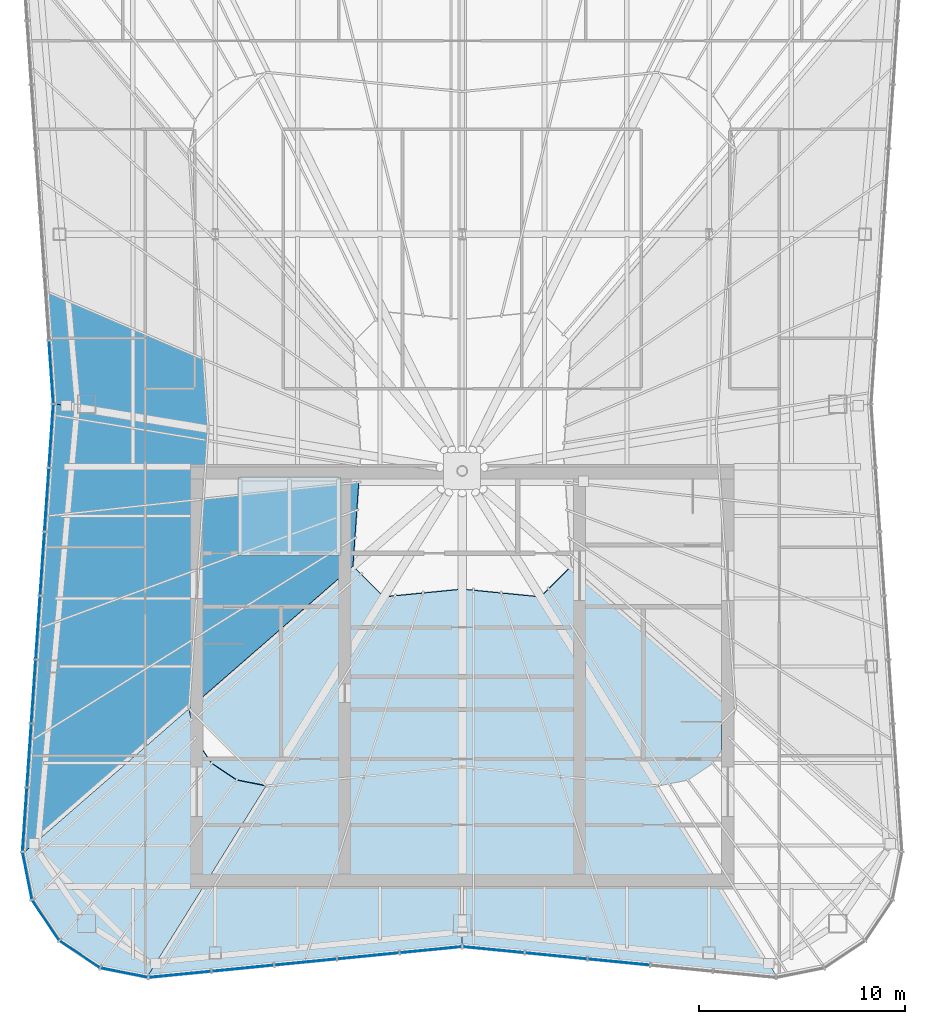
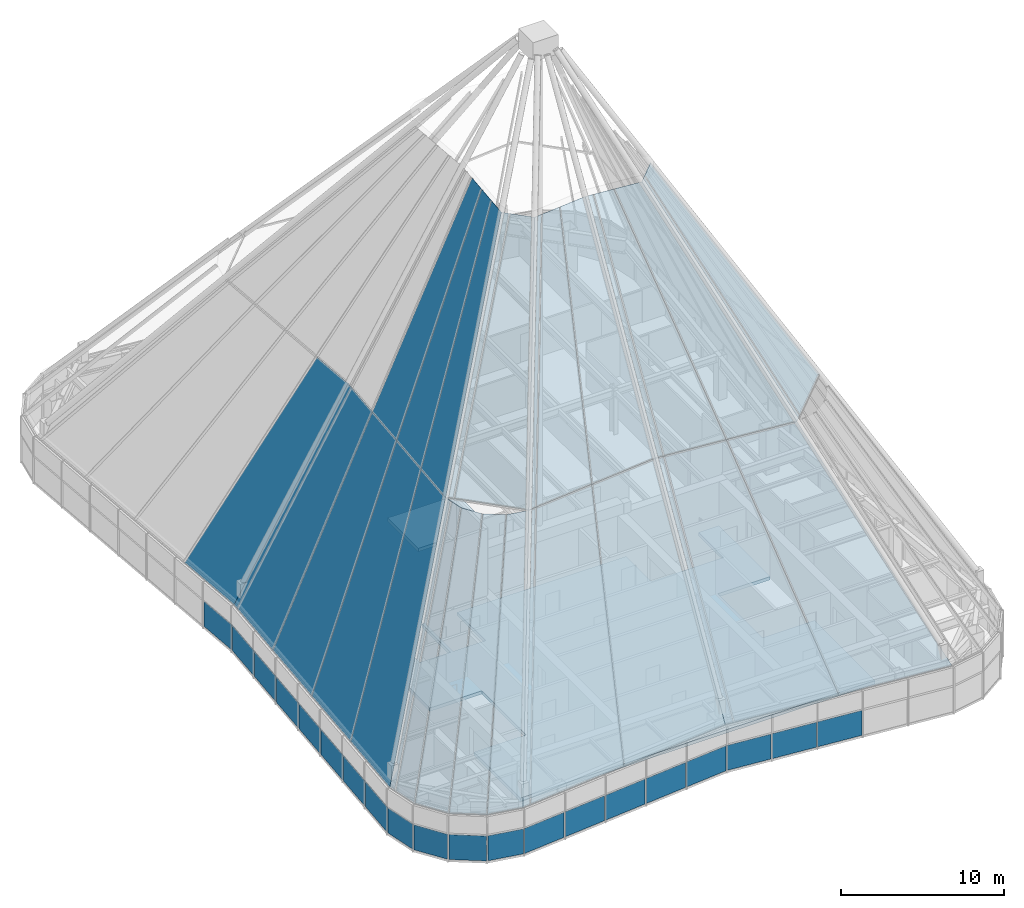
# One storey, part 19 of 28: 42 plates, 2 slabs, 25 elements without a shape of their own.
"""IFC4 building model written with IfcOpenShell, lengths in metres."""

from ifc_helpers import new_model, si_unit, direction, frame, origin, origin_2d, place, context, subcontext, project, spatial, polyline, rectangle, outline, extrude, material, layer, layer_set, type_object, element, aggregate, save


model = new_model("IFC4")

# Units and contexts
model_context = context("Model", 3, precision=1e-05, world=origin(), true_north=direction((0.0, 1.0)))
body_context = subcontext(model_context, "Body", "Model", "MODEL_VIEW")
ifc_project = project(units=[si_unit("LENGTHUNIT", "METRE"), si_unit("AREAUNIT", "SQUARE_METRE"), si_unit("VOLUMEUNIT", "CUBIC_METRE"), si_unit("PLANEANGLEUNIT", "RADIAN"), si_unit("MASSUNIT", "GRAM", prefix="KILO")], contexts=[model_context])

# Site, building, storey
site_placement = place(None, origin())
site = spatial("IfcSite", under=ifc_project, at=site_placement, CompositionType="ELEMENT")
building_placement = place(site_placement, origin())
building = spatial("IfcBuilding", under=site, at=building_placement, Name="Verdant Reach Tower", CompositionType="ELEMENT")
storey_placement = place(building_placement, frame((0.0, 0.0, 368.0)))
storey = spatial("IfcBuildingStorey", under=building, at=storey_placement, Name="L83 Crown plant", CompositionType="ELEMENT", Elevation=368.0)

# Slab
ifc_material_1 = material(Name="Concrete C40/50", Category="concrete")
ifc_layer_1 = layer(ifc_material_1, 0.25)
ifc_layer_set_1 = layer_set([ifc_layer_1], Name="CO-SLAB-CAP")
slab_type_1 = type_object("IfcSlabType", Name="CO-SLAB-CAP", PredefinedType="ROOF", material=ifc_layer_set_1)
slab_1_placement = place(storey_placement, frame((0.0, 0.0, 8.5)))
element("IfcSlab", 1, at=slab_1_placement, inside=storey, type_object=slab_type_1, Name="Lift overrun cap slab", PredefinedType="ROOF", context=body_context, shape_type="SweptSolid", body=[
    extrude(outline(polyline([(-10.89990234375, 33.89990234375), (-5.89990234375, 33.89990234375), (-5.89990234375, 37.699951171875), (-10.89990234375, 37.699951171875), (-10.89990234375, 33.89990234375)])), origin(), (0.0, 0.0, 1.0), 0.25),
])

# Curtain wall, plate
ifc_material_2 = material(Name="Anodised aluminium", Category="aluminium")
curtain_wall_type_1 = type_object("IfcCurtainWallType", Name="EN-CW SYSTEM CROWN APEX", PredefinedType="NOTDEFINED", material=ifc_material_2)
curtain_wall_1_placement = place(storey_placement, origin())
curtain_wall_1 = element("IfcCurtainWall", 2, at=curtain_wall_1_placement, inside=storey, type_object=curtain_wall_type_1, Name="Crown glazing unit west face part 1 4, level 01", PredefinedType="NOTDEFINED")
ifc_material_3 = material(Name="Tinted glass", Category="glass")
ifc_layer_2 = layer(ifc_material_3, 0.030029296875)
ifc_layer_set_2 = layer_set([ifc_layer_2], Name="EN-PANEL CROWN TINTED")
plate_type_1 = type_object("IfcPlateType", Name="EN-PANEL CROWN TINTED", PredefinedType="CURTAIN_PANEL", material=ifc_layer_set_2)
plate_1_placement = place(storey_placement, frame((-20.125, 46.6875, 3.14990234375), z_axis=(-0.894449461564, -0.061686169763, 0.442893866709), x_axis=(0.068802091615, -0.997630328423, 0.0)))
plate_1 = element("IfcPlate", 3, at=plate_1_placement, type_object=plate_type_1, Name="Crown glass facet west face part 1 4, level 01", PredefinedType="CURTAIN_PANEL", context=body_context, shape_type="SweptSolid", body=[
    extrude(outline(polyline([(0.0, 0.0), (5.450415695155737, -2.7755575615628914e-17), (7.175843148947643, 16.493448249830344), (3.7693333394753066, 16.493448249830344), (0.0, 0.0)])), origin(), (0.0, 0.0, -1.0), 0.030029296875),
])
aggregate(curtain_wall_1, [plate_1])

curtain_wall_2_placement = place(storey_placement, origin())
curtain_wall_2 = element("IfcCurtainWall", 4, at=curtain_wall_2_placement, inside=storey, type_object=curtain_wall_type_1, Name="Crown glazing unit west face part 2 1, level 01", PredefinedType="NOTDEFINED")
plate_2_placement = place(storey_placement, frame((-19.75, 41.25, 3.14990234375), z_axis=(-0.890402844201, 0.061407092704, 0.451012132879), x_axis=(-0.068802091615, -0.997630328423, 0.0)))
plate_2 = element("IfcPlate", 5, at=plate_2_placement, type_object=plate_type_1, Name="Crown glass facet west face part 2 1, level 01", PredefinedType="CURTAIN_PANEL", context=body_context, shape_type="SweptSolid", body=[
    extrude(outline(polyline([(0.0, 0.0), (5.450415695155737, -2.7755575615628914e-17), (4.112806281211452, 16.56840608996953), (0.7062964717391164, 16.56840608996953), (0.0, 0.0)])), origin(), (0.0, 0.0, -1.0), 0.030029296875),
])
aggregate(curtain_wall_2, [plate_2])

curtain_wall_3_placement = place(storey_placement, origin())
curtain_wall_3 = element("IfcCurtainWall", 6, at=curtain_wall_3_placement, inside=storey, type_object=curtain_wall_type_1, Name="Crown glazing unit west face part 2 2, level 01", PredefinedType="NOTDEFINED")
plate_3_placement = place(storey_placement, frame((-20.125, 35.8125, 3.14990234375), z_axis=(-0.890402844201, 0.061407092704, 0.451012132879), x_axis=(-0.068802091615, -0.997630328423, 0.0)))
plate_3 = element("IfcPlate", 7, at=plate_3_placement, type_object=plate_type_1, Name="Crown glass facet west face part 2 2, level 01", PredefinedType="CURTAIN_PANEL", context=body_context, shape_type="SweptSolid", body=[
    extrude(outline(polyline([(0.0, 0.0), (5.450415695155737, -2.7755575615628914e-17), (2.0689003955280505, 16.56840608996953), (-1.3376094139442853, 16.56840608996953), (0.0, 0.0)])), origin(), (0.0, 0.0, -1.0), 0.030029296875),
])
aggregate(curtain_wall_3, [plate_3])

curtain_wall_4_placement = place(storey_placement, origin())
curtain_wall_4 = element("IfcCurtainWall", 8, at=curtain_wall_4_placement, inside=storey, type_object=curtain_wall_type_1, Name="Crown glazing unit west face part 2 3, level 01", PredefinedType="NOTDEFINED")
plate_4_placement = place(storey_placement, frame((-20.5, 30.375, 3.14990234375), z_axis=(-0.890402844201, 0.061407092704, 0.451012132879), x_axis=(-0.068802091615, -0.997630328423, 0.0)))
plate_4 = element("IfcPlate", 9, at=plate_4_placement, type_object=plate_type_1, Name="Crown glass facet west face part 2 3, level 01", PredefinedType="CURTAIN_PANEL", context=body_context, shape_type="SweptSolid", body=[
    extrude(outline(polyline([(0.0, 0.0), (5.450415695155737, -2.7755575615628914e-17), (0.02499450984464917, 16.56840608996953), (-3.3815152996276874, 16.56840608996953), (0.0, 0.0)])), origin(), (0.0, 0.0, -1.0), 0.030029296875),
])
aggregate(curtain_wall_4, [plate_4])

curtain_wall_5_placement = place(storey_placement, origin())
curtain_wall_5 = element("IfcCurtainWall", 10, at=curtain_wall_5_placement, inside=storey, type_object=curtain_wall_type_1, Name="Crown glazing unit west face part 2 4, level 01", PredefinedType="NOTDEFINED")
plate_5_placement = place(storey_placement, frame((-20.875, 24.9375, 3.14990234375), z_axis=(-0.890402844201, 0.061407092704, 0.451012132879), x_axis=(-0.068802091615, -0.997630328423, 0.0)))
plate_5 = element("IfcPlate", 11, at=plate_5_placement, type_object=plate_type_1, Name="Crown glass facet west face part 2 4, level 01", PredefinedType="CURTAIN_PANEL", context=body_context, shape_type="SweptSolid", body=[
    extrude(outline(polyline([(0.0, 0.0), (5.450415695155737, -2.7755575615628914e-17), (-2.0189113758387527, 16.56840608996953), (-5.425421185311088, 16.56840608996953), (0.0, 0.0)])), origin(), (0.0, 0.0, -1.0), 0.030029296875),
])
aggregate(curtain_wall_5, [plate_5])

curtain_wall_6_placement = place(storey_placement, origin())
curtain_wall_6 = element("IfcCurtainWall", 12, at=curtain_wall_6_placement, inside=storey, type_object=curtain_wall_type_1, Name="Crown glazing unit south-west corner 1, level 01", PredefinedType="NOTDEFINED")
plate_6_placement = place(storey_placement, frame((-21.25, 19.5, 3.14990234375), z_axis=(-0.833553715483, -0.165805358573, 0.526969435996), x_axis=(0.195097700236, -0.980783812706, 9.869957e-06)))
plate_6 = element("IfcPlate", 13, at=plate_6_placement, type_object=plate_type_1, Name="Crown glass facet south-west corner 1, level 01", PredefinedType="CURTAIN_PANEL", context=body_context, shape_type="SweptSolid", body=[
    extrude(outline(polyline([(0.0, 0.0), (2.3411375868254694, 0.0), (-3.7861937500511846, 17.399587392535295), (-5.249356948942548, 17.399631573004537), (0.0, 0.0)])), origin(), (0.0, 0.0, -1.0), 0.030029296875),
])
aggregate(curtain_wall_6, [plate_6])

curtain_wall_7_placement = place(storey_placement, origin())
curtain_wall_7 = element("IfcCurtainWall", 14, at=curtain_wall_7_placement, inside=storey, type_object=curtain_wall_type_1, Name="Crown glazing unit south-west corner 2, level 01", PredefinedType="NOTDEFINED")
plate_7_placement = place(storey_placement, frame((-20.793212890625, 17.203857421875, 3.14990234375), z_axis=(-0.671109388447, -0.448424974975, 0.590361948771), x_axis=(0.555562718098, -0.831474633369, -1.8015516e-05)))
plate_7 = element("IfcPlate", 15, at=plate_7_placement, type_object=plate_type_1, Name="Crown glass facet south-west corner 2, level 01", PredefinedType="CURTAIN_PANEL", context=body_context, shape_type="SweptSolid", body=[
    extrude(outline(polyline([(0.0, 0.0), (2.3410229128793367, 1.1102230246251565e-16), (-0.6894681087721071, 18.320997996177486), (-2.1526668268728737, 18.32091308509606), (0.0, 0.0)])), origin(), (0.0, 0.0, -1.0), 0.030029296875),
])
aggregate(curtain_wall_7, [plate_7])

curtain_wall_8_placement = place(storey_placement, origin())
curtain_wall_8 = element("IfcCurtainWall", 16, at=curtain_wall_8_placement, inside=storey, type_object=curtain_wall_type_1, Name="Crown glazing unit south-west corner 3, level 01", PredefinedType="NOTDEFINED")
plate_8_placement = place(storey_placement, frame((-19.49267578125, 15.25732421875, 3.14990234375), z_axis=(-0.443570783188, -0.663844642137, 0.602125610988), x_axis=(0.831474928018, -0.555562277109, 1.8175593e-05)))
plate_8 = element("IfcPlate", 17, at=plate_8_placement, type_object=plate_type_1, Name="Crown glass facet south-west corner 3, level 01", PredefinedType="CURTAIN_PANEL", context=body_context, shape_type="SweptSolid", body=[
    extrude(outline(polyline([(0.0, 0.0), (2.3410229129028077, -3.3306690738754696e-16), (2.8032462495781587, 18.521444543756257), (1.340047531539005, 18.521531146791716), (0.0, 0.0)])), origin(), (0.0, 0.0, -1.0), 0.030029296875),
])
aggregate(curtain_wall_8, [plate_8])

curtain_wall_9_placement = place(storey_placement, origin())
curtain_wall_9 = element("IfcCurtainWall", 18, at=curtain_wall_9_placement, inside=storey, type_object=curtain_wall_type_1, Name="Crown glazing unit south-west corner 4, level 01", PredefinedType="NOTDEFINED")
plate_9_placement = place(storey_placement, frame((-17.546142578125, 13.956787109375, 3.14990234375), z_axis=(-0.160966136345, -0.809225480843, 0.56501683524), x_axis=(0.980783634067, -0.195098598254, -1.0273707e-05)))
plate_9 = element("IfcPlate", 19, at=plate_9_placement, type_object=plate_type_1, Name="Crown glass facet south-west corner 4, level 01", PredefinedType="CURTAIN_PANEL", context=body_context, shape_type="SweptSolid", body=[
    extrude(outline(polyline([(0.0, 0.0), (2.341137586849089, -5.551115123125783e-17), (6.157373699270942, 17.92271308111765), (4.69421050044158, 17.922665710801258), (0.0, 0.0)])), origin(), (0.0, 0.0, -1.0), 0.030029296875),
])
aggregate(curtain_wall_9, [plate_9])

curtain_wall_10_placement = place(storey_placement, origin())
curtain_wall_10 = element("IfcCurtainWall", 20, at=curtain_wall_10_placement, inside=storey, type_object=curtain_wall_type_1, Name="Crown glazing unit south face part 1 1, level 01", PredefinedType="NOTDEFINED")
plate_10_placement = place(storey_placement, frame((-15.25, 13.5, 3.14990234375), z_axis=(0.084659577757, -0.860705707196, 0.502014383752), x_axis=(0.995197410875, 0.097888269922, 0.0)))
plate_10 = element("IfcPlate", 21, at=plate_10_placement, type_object=plate_type_1, Name="Crown glass facet south face part 1 1, level 01", PredefinedType="CURTAIN_PANEL", context=body_context, shape_type="SweptSolid", body=[
    extrude(outline(polyline([(0.0, 0.0), (7.661796460360978, -5.551115123125783e-17), (11.379256461074451, 17.098270381513768), (6.590633673348839, 17.098270381513768), (0.0, 0.0)])), origin(), (0.0, 0.0, -1.0), 0.030029296875),
])
aggregate(curtain_wall_10, [plate_10])

curtain_wall_11_placement = place(storey_placement, origin())
curtain_wall_11 = element("IfcCurtainWall", 22, at=curtain_wall_11_placement, inside=storey, type_object=curtain_wall_type_1, Name="Crown glazing unit south face part 1 2, level 01", PredefinedType="NOTDEFINED")
plate_11_placement = place(storey_placement, frame((-7.625, 14.25, 3.14990234375), z_axis=(0.084659577757, -0.860705707196, 0.502014383752), x_axis=(0.995197410875, 0.097888269922, 0.0)))
plate_11 = element("IfcPlate", 23, at=plate_11_placement, type_object=plate_type_1, Name="Crown glass facet south face part 1 2, level 01", PredefinedType="CURTAIN_PANEL", context=body_context, shape_type="SweptSolid", body=[
    extrude(outline(polyline([(0.0, 0.0), (7.661796460360978, -5.551115123125783e-17), (8.506082788439084, 17.098270381513768), (3.717460000713473, 17.098270381513768), (0.0, 0.0)])), origin(), (0.0, 0.0, -1.0), 0.030029296875),
])
aggregate(curtain_wall_11, [plate_11])

curtain_wall_12_placement = place(storey_placement, origin())
curtain_wall_12 = element("IfcCurtainWall", 24, at=curtain_wall_12_placement, inside=storey, type_object=curtain_wall_type_1, Name="Crown glazing unit south face part 2 1, level 01", PredefinedType="NOTDEFINED")
plate_12_placement = place(storey_placement, frame((0.0, 15.0, 3.14990234375), z_axis=(-0.084659577757, -0.860705707196, 0.502014383752), x_axis=(0.995197410875, -0.097888269922, 0.0)))
plate_12 = element("IfcPlate", 25, at=plate_12_placement, type_object=plate_type_1, Name="Crown glass facet south face part 2 1, level 01", PredefinedType="CURTAIN_PANEL", context=body_context, shape_type="SweptSolid", body=[
    extrude(outline(polyline([(0.0, 0.0), (7.661796460360978, 5.551115123125783e-17), (3.9443364596475057, 17.098270381513768), (-0.8442863280781062, 17.098270381513768), (0.0, 0.0)])), origin(), (0.0, 0.0, -1.0), 0.030029296875),
])
aggregate(curtain_wall_12, [plate_12])

curtain_wall_13_placement = place(storey_placement, origin())
curtain_wall_13 = element("IfcCurtainWall", 26, at=curtain_wall_13_placement, inside=storey, type_object=curtain_wall_type_1, Name="Crown glazing unit south face part 2 2, level 01", PredefinedType="NOTDEFINED")
plate_13_placement = place(storey_placement, frame((7.625, 14.25, 3.14990234375), z_axis=(-0.084659577757, -0.860705707196, 0.502014383752), x_axis=(0.995197410875, -0.097888269922, 0.0)))
plate_13 = element("IfcPlate", 27, at=plate_13_placement, type_object=plate_type_1, Name="Crown glass facet south face part 2 2, level 01", PredefinedType="CURTAIN_PANEL", context=body_context, shape_type="SweptSolid", body=[
    extrude(outline(polyline([(0.0, 0.0), (7.661796460360978, 5.551115123125783e-17), (1.0711627870121383, 17.098270381513768), (-3.717460000713473, 17.098270381513768), (0.0, 0.0)])), origin(), (0.0, 0.0, -1.0), 0.030029296875),
])
aggregate(curtain_wall_13, [plate_13])

curtain_wall_14_placement = place(storey_placement, origin())
curtain_wall_14 = element("IfcCurtainWall", 28, at=curtain_wall_14_placement, inside=storey, type_object=curtain_wall_type_1, Name="Crown glazing unit south-east corner 1, level 02", PredefinedType="NOTDEFINED")
plate_14_placement = place(storey_placement, frame((9.53125, 22.6875, 17.9375), z_axis=(0.57110332577, -0.57110332577, 0.589645641542), x_axis=(0.707106781187, 0.707106781187, 0.0)))
plate_14 = element("IfcPlate", 29, at=plate_14_placement, type_object=plate_type_1, Name="Crown glass facet south-east corner 1, level 02", PredefinedType="CURTAIN_PANEL", context=body_context, shape_type="SweptSolid", body=[
    extrude(outline(polyline([(0.0, 0.0), (5.303300858899107, 0.0), (4.57409699080048, 17.875669240094204), (2.452776647240836, 17.875669240094204), (0.0, 0.0)])), origin(), (0.0, 0.0, -1.0), 0.030029296875),
])
aggregate(curtain_wall_14, [plate_14])

curtain_wall_15_placement = place(storey_placement, origin())
curtain_wall_15 = element("IfcCurtainWall", 30, at=curtain_wall_15_placement, inside=storey, type_object=curtain_wall_type_1, Name="Crown glazing unit west face part 2 2, level 02", PredefinedType="NOTDEFINED")
plate_15_placement = place(storey_placement, frame((-12.578125, 36.6328125, 17.9375), z_axis=(-0.885990628679, 0.061102801978, 0.459659714879), x_axis=(-0.068802091615, -0.997630328423, 0.0)))
plate_15 = element("IfcPlate", 31, at=plate_15_placement, type_object=plate_type_1, Name="Crown glass facet west face part 2 2, level 02", PredefinedType="CURTAIN_PANEL", context=body_context, shape_type="SweptSolid", body=[
    extrude(outline(polyline([(0.0, 0.0), (3.406509809472336, 1.3877787807814457e-17), (0.02499450984464897, 16.256704529793513), (-1.3376094139442856, 16.256704529793513), (0.0, 0.0)])), origin(), (0.0, 0.0, -1.0), 0.030029296875),
])
aggregate(curtain_wall_15, [plate_15])

curtain_wall_16_placement = place(storey_placement, origin())
curtain_wall_16 = element("IfcCurtainWall", 32, at=curtain_wall_16_placement, inside=storey, type_object=curtain_wall_type_1, Name="Crown glazing unit west face part 2 3, level 02", PredefinedType="NOTDEFINED")
plate_16_placement = place(storey_placement, frame((-12.8125, 33.234375, 17.9375), z_axis=(-0.885990628679, 0.061102801978, 0.459659714879), x_axis=(-0.068802091615, -0.997630328423, 0.0)))
plate_16 = element("IfcPlate", 33, at=plate_16_placement, type_object=plate_type_1, Name="Crown glass facet west face part 2 3, level 02", PredefinedType="CURTAIN_PANEL", context=body_context, shape_type="SweptSolid", body=[
    extrude(outline(polyline([(0.0, 0.0), (3.406509809472336, 1.3877787807814457e-17), (-2.0189113758387527, 16.256704529793513), (-3.3815152996276874, 16.256704529793513), (0.0, 0.0)])), origin(), (0.0, 0.0, -1.0), 0.030029296875),
])
aggregate(curtain_wall_16, [plate_16])

curtain_wall_17_placement = place(storey_placement, origin())
curtain_wall_17 = element("IfcCurtainWall", 34, at=curtain_wall_17_placement, inside=storey, type_object=curtain_wall_type_1, Name="Crown glazing unit west face part 2 4, level 02", PredefinedType="NOTDEFINED")
plate_17_placement = place(storey_placement, frame((-13.046875, 29.8359375, 17.9375), z_axis=(-0.885990628679, 0.061102801978, 0.459659714879), x_axis=(-0.068802091615, -0.997630328423, 0.0)))
plate_17 = element("IfcPlate", 35, at=plate_17_placement, type_object=plate_type_1, Name="Crown glass facet west face part 2 4, level 02", PredefinedType="CURTAIN_PANEL", context=body_context, shape_type="SweptSolid", body=[
    extrude(outline(polyline([(0.0, 0.0), (3.406509809472336, 1.3877787807814457e-17), (-4.062817261522154, 16.256704529793513), (-5.425421185311088, 16.256704529793513), (0.0, 0.0)])), origin(), (0.0, 0.0, -1.0), 0.030029296875),
])
aggregate(curtain_wall_17, [plate_17])

curtain_wall_18_placement = place(storey_placement, origin())
curtain_wall_18 = element("IfcCurtainWall", 36, at=curtain_wall_18_placement, inside=storey, type_object=curtain_wall_type_1, Name="Crown glazing unit south-west corner 1, level 02", PredefinedType="NOTDEFINED")
plate_18_placement = place(storey_placement, frame((-13.28125, 26.4375, 17.9375), z_axis=(-0.57110332577, -0.57110332577, 0.589645641542), x_axis=(0.707106781187, -0.707106781187, 0.0)))
plate_18 = element("IfcPlate", 37, at=plate_18_placement, type_object=plate_type_1, Name="Crown glass facet south-west corner 1, level 02", PredefinedType="CURTAIN_PANEL", context=body_context, shape_type="SweptSolid", body=[
    extrude(outline(polyline([(0.0, 0.0), (5.303300858899107, 0.0), (2.85052421165827, 17.875669240094204), (0.7292038680986268, 17.875669240094204), (0.0, 0.0)])), origin(), (0.0, 0.0, -1.0), 0.030029296875),
])
aggregate(curtain_wall_18, [plate_18])

curtain_wall_19_placement = place(storey_placement, origin())
curtain_wall_19 = element("IfcCurtainWall", 38, at=curtain_wall_19_placement, inside=storey, type_object=curtain_wall_type_1, Name="Crown glazing unit south face part 1 1, level 02", PredefinedType="NOTDEFINED")
plate_19_placement = place(storey_placement, frame((-9.53125, 22.6875, 17.9375), z_axis=(0.084140738434, -0.855430840746, 0.51103660616), x_axis=(0.995197410875, 0.097888269922, 0.0)))
plate_19 = element("IfcPlate", 39, at=plate_19_placement, type_object=plate_type_1, Name="Crown glass facet south face part 1 1, level 02", PredefinedType="CURTAIN_PANEL", context=body_context, shape_type="SweptSolid", body=[
    extrude(outline(polyline([(0.0, 0.0), (4.788622787725611, -2.7755575615628914e-17), (8.506082788439084, 16.796404729769414), (6.590633673348839, 16.796404729769414), (0.0, 0.0)])), origin(), (0.0, 0.0, -1.0), 0.030029296875),
])
aggregate(curtain_wall_19, [plate_19])

curtain_wall_20_placement = place(storey_placement, origin())
curtain_wall_20 = element("IfcCurtainWall", 40, at=curtain_wall_20_placement, inside=storey, type_object=curtain_wall_type_1, Name="Crown glazing unit south face part 1 2, level 02", PredefinedType="NOTDEFINED")
plate_20_placement = place(storey_placement, frame((-4.765625, 23.15625, 17.9375), z_axis=(0.084140738434, -0.855430840746, 0.51103660616), x_axis=(0.995197410875, 0.097888269922, 0.0)))
plate_20 = element("IfcPlate", 41, at=plate_20_placement, type_object=plate_type_1, Name="Crown glass facet south face part 1 2, level 02", PredefinedType="CURTAIN_PANEL", context=body_context, shape_type="SweptSolid", body=[
    extrude(outline(polyline([(0.0, 0.0), (4.788622787725611, -2.7755575615628914e-17), (5.6329091158037174, 16.796404729769414), (3.717460000713473, 16.796404729769414), (0.0, 0.0)])), origin(), (0.0, 0.0, -1.0), 0.030029296875),
])
aggregate(curtain_wall_20, [plate_20])

curtain_wall_21_placement = place(storey_placement, origin())
curtain_wall_21 = element("IfcCurtainWall", 42, at=curtain_wall_21_placement, inside=storey, type_object=curtain_wall_type_1, Name="Crown glazing unit south face part 2 1, level 02", PredefinedType="NOTDEFINED")
plate_21_placement = place(storey_placement, frame((0.0, 23.625, 17.9375), z_axis=(-0.084140738434, -0.855430840746, 0.51103660616), x_axis=(0.995197410875, -0.097888269922, 0.0)))
plate_21 = element("IfcPlate", 43, at=plate_21_placement, type_object=plate_type_1, Name="Crown glass facet south face part 2 1, level 02", PredefinedType="CURTAIN_PANEL", context=body_context, shape_type="SweptSolid", body=[
    extrude(outline(polyline([(0.0, 0.0), (4.788622787725611, 2.7755575615628914e-17), (1.0711627870121383, 16.796404729769414), (-0.8442863280781061, 16.796404729769414), (0.0, 0.0)])), origin(), (0.0, 0.0, -1.0), 0.030029296875),
])
aggregate(curtain_wall_21, [plate_21])

curtain_wall_22_placement = place(storey_placement, origin())
curtain_wall_22 = element("IfcCurtainWall", 44, at=curtain_wall_22_placement, inside=storey, type_object=curtain_wall_type_1, Name="Crown glazing unit south face part 2 2, level 02", PredefinedType="NOTDEFINED")
plate_22_placement = place(storey_placement, frame((4.765625, 23.15625, 17.9375), z_axis=(-0.084140738434, -0.855430840746, 0.51103660616), x_axis=(0.995197410875, -0.097888269922, 0.0)))
plate_22 = element("IfcPlate", 45, at=plate_22_placement, type_object=plate_type_1, Name="Crown glass facet south face part 2 2, level 02", PredefinedType="CURTAIN_PANEL", context=body_context, shape_type="SweptSolid", body=[
    extrude(outline(polyline([(0.0, 0.0), (4.788622787725611, 2.7755575615628914e-17), (-1.8020108856232282, 16.796404729769414), (-3.717460000713473, 16.796404729769414), (0.0, 0.0)])), origin(), (0.0, 0.0, -1.0), 0.030029296875),
])
aggregate(curtain_wall_22, [plate_22])

# Curtain wall, plates
curtain_wall_type_2 = type_object("IfcCurtainWallType", Name="EN-CW SYSTEM PLANT", PredefinedType="NOTDEFINED", material=ifc_material_2)
curtain_wall_23_placement = place(storey_placement, origin())
curtain_wall_23 = element("IfcCurtainWall", 46, at=curtain_wall_23_placement, inside=storey, type_object=curtain_wall_type_2, Name="Curtain wall west, L83", PredefinedType="NOTDEFINED")
ifc_material_4 = material(Name="Bronze anodised aluminium solid panel", Category="aluminium")
ifc_layer_3 = layer(ifc_material_4, 0.0400390625)
ifc_layer_set_3 = layer_set([ifc_layer_3], Name="EN-PANEL SOLID")
plate_type_2 = type_object("IfcPlateType", Name="EN-PANEL SOLID", PredefinedType="CURTAIN_PANEL", material=ifc_layer_set_3)
plate_23_placement = place(storey_placement, frame((-19.97607421875, 42.799560546875, -0.199951171875), z_axis=(0.0, 0.0, 1.0), x_axis=(0.068892655483, -0.997624078509, 0.0)))
plate_23 = element("IfcPlate", 47, at=plate_23_placement, type_object=plate_type_2, Name="Solid panel west face part 1 7.1, L83", PredefinedType="CURTAIN_PANEL", context=body_context, shape_type="SweptSolid", body=[
    extrude(rectangle(XDim=3.0302734375, YDim=0.0400390625, at=origin_2d()), origin(), (0.0, 0.0, 1.0), 1.875),
])
plate_24_placement = place(storey_placement, frame((-19.97607421875, 39.700439453125, -0.199951171875), z_axis=(0.0, 0.0, 1.0), x_axis=(-0.068892655483, -0.997624078509, 0.0)))
plate_24 = element("IfcPlate", 48, at=plate_24_placement, type_object=plate_type_2, Name="Solid panel west face part 2 1.1, L83", PredefinedType="CURTAIN_PANEL", context=body_context, shape_type="SweptSolid", body=[
    extrude(rectangle(XDim=3.0302734375, YDim=0.0400390625, at=origin_2d()), origin(), (0.0, 0.0, 1.0), 1.875),
])
plate_25_placement = place(storey_placement, frame((-20.190185546875, 36.597412109375, -0.199951171875), z_axis=(0.0, 0.0, 1.0), x_axis=(-0.068802091615, -0.997630328423, 0.0)))
plate_25 = element("IfcPlate", 49, at=plate_25_placement, type_object=plate_type_2, Name="Solid panel west face part 2 2.1, L83", PredefinedType="CURTAIN_PANEL", context=body_context, shape_type="SweptSolid", body=[
    extrude(rectangle(XDim=3.03857421875, YDim=0.0400390625, at=origin_2d()), origin(), (0.0, 0.0, 1.0), 1.875),
])
plate_26_placement = place(storey_placement, frame((-20.404541015625, 33.490234375, -0.199951171875), z_axis=(0.0, 0.0, 1.0), x_axis=(-0.068802091615, -0.997630328423, 0.0)))
plate_26 = element("IfcPlate", 50, at=plate_26_placement, type_object=plate_type_2, Name="Solid panel west face part 2 3.1, L83", PredefinedType="CURTAIN_PANEL", context=body_context, shape_type="SweptSolid", body=[
    extrude(rectangle(XDim=3.03857421875, YDim=0.0400390625, at=origin_2d()), origin(), (0.0, 0.0, 1.0), 1.875),
])
plate_27_placement = place(storey_placement, frame((-20.61865234375, 30.38330078125, -0.199951171875), z_axis=(0.0, 0.0, 1.0), x_axis=(-0.068802091615, -0.997630328423, 0.0)))
plate_27 = element("IfcPlate", 51, at=plate_27_placement, type_object=plate_type_2, Name="Solid panel west face part 2 4.1, L83", PredefinedType="CURTAIN_PANEL", context=body_context, shape_type="SweptSolid", body=[
    extrude(rectangle(XDim=3.03857421875, YDim=0.0400390625, at=origin_2d()), origin(), (0.0, 0.0, 1.0), 1.875),
])
plate_28_placement = place(storey_placement, frame((-20.8330078125, 27.276123046875, -0.199951171875), z_axis=(0.0, 0.0, 1.0), x_axis=(-0.068802091615, -0.997630328423, 0.0)))
plate_28 = element("IfcPlate", 52, at=plate_28_placement, type_object=plate_type_2, Name="Solid panel west face part 2 5.1, L83", PredefinedType="CURTAIN_PANEL", context=body_context, shape_type="SweptSolid", body=[
    extrude(rectangle(XDim=3.03857421875, YDim=0.0400390625, at=origin_2d()), origin(), (0.0, 0.0, 1.0), 1.875),
])
plate_29_placement = place(storey_placement, frame((-21.04736328125, 24.1689453125, -0.199951171875), z_axis=(0.0, 0.0, 1.0), x_axis=(-0.068802091615, -0.997630328423, 0.0)))
plate_29 = element("IfcPlate", 53, at=plate_29_placement, type_object=plate_type_2, Name="Solid panel west face part 2 6.1, L83", PredefinedType="CURTAIN_PANEL", context=body_context, shape_type="SweptSolid", body=[
    extrude(rectangle(XDim=3.03857421875, YDim=0.0400390625, at=origin_2d()), origin(), (0.0, 0.0, 1.0), 1.875),
])
plate_30_placement = place(storey_placement, frame((-21.261474609375, 21.053955078125, -0.199951171875), z_axis=(0.0, 0.0, 1.0), x_axis=(-0.068469163133, -0.997653233193, 0.0)))
plate_30 = element("IfcPlate", 54, at=plate_30_placement, type_object=plate_type_2, Name="Solid panel west face part 2 7.1, L83", PredefinedType="CURTAIN_PANEL", context=body_context, shape_type="SweptSolid", body=[
    extrude(rectangle(XDim=3.05419921875, YDim=0.0400390625, at=origin_2d()), origin(), (0.0, 0.0, 1.0), 1.875),
])
aggregate(curtain_wall_23, [plate_23, plate_24, plate_25, plate_26, plate_27, plate_28, plate_29, plate_30])

curtain_wall_24_placement = place(storey_placement, origin())
curtain_wall_24 = element("IfcCurtainWall", 55, at=curtain_wall_24_placement, inside=storey, type_object=curtain_wall_type_2, Name="Curtain wall south-west corner, L83", PredefinedType="NOTDEFINED")
plate_31_placement = place(storey_placement, frame((-21.135986328125, 18.325439453125, -0.199951171875), z_axis=(0.0, 0.0, 1.0), x_axis=(0.195592962334, -0.980685165119, 0.0)))
plate_31 = element("IfcPlate", 56, at=plate_31_placement, type_object=plate_type_2, Name="Solid panel south-west corner 1.1, L83", PredefinedType="CURTAIN_PANEL", context=body_context, shape_type="SweptSolid", body=[
    extrude(rectangle(XDim=2.303955078125, YDim=0.0400390625, at=origin_2d()), origin(), (0.0, 0.0, 1.0), 1.875),
])
plate_32_placement = place(storey_placement, frame((-20.239990234375, 16.165771484375, -0.199951171875), z_axis=(0.0, 0.0, 1.0), x_axis=(0.555596466265, -0.83145208321, 0.0)))
plate_32 = element("IfcPlate", 57, at=plate_32_placement, type_object=plate_type_2, Name="Solid panel south-west corner 2.1, L83", PredefinedType="CURTAIN_PANEL", context=body_context, shape_type="SweptSolid", body=[
    extrude(rectangle(XDim=2.3115234375, YDim=0.0400390625, at=origin_2d()), origin(), (0.0, 0.0, 1.0), 1.875),
])
plate_33_placement = place(storey_placement, frame((-18.584228515625, 14.510009765625, -0.199951171875), z_axis=(0.0, 0.0, 1.0), x_axis=(0.83145208321, -0.555596466265, 0.0)))
plate_33 = element("IfcPlate", 58, at=plate_33_placement, type_object=plate_type_2, Name="Solid panel south-west corner 3.1, L83", PredefinedType="CURTAIN_PANEL", context=body_context, shape_type="SweptSolid", body=[
    extrude(rectangle(XDim=2.3115234375, YDim=0.0400390625, at=origin_2d()), origin(), (0.0, 0.0, 1.0), 1.875),
])
plate_34_placement = place(storey_placement, frame((-16.423828125, 13.614013671875, -0.199951171875), z_axis=(0.0, 0.0, 1.0), x_axis=(0.980705120874, -0.195492879387, 0.0)))
plate_34 = element("IfcPlate", 59, at=plate_34_placement, type_object=plate_type_2, Name="Solid panel south-west corner 4.1, L83", PredefinedType="CURTAIN_PANEL", context=body_context, shape_type="SweptSolid", body=[
    extrude(rectangle(XDim=2.3056640625, YDim=0.0400390625, at=origin_2d()), origin(), (0.0, 0.0, 1.0), 1.875),
])
aggregate(curtain_wall_24, [plate_31, plate_32, plate_33, plate_34])

curtain_wall_25_placement = place(storey_placement, origin())
curtain_wall_25 = element("IfcCurtainWall", 60, at=curtain_wall_25_placement, inside=storey, type_object=curtain_wall_type_2, Name="Curtain wall south, L83", PredefinedType="NOTDEFINED")
plate_35_placement = place(storey_placement, frame((-13.72216796875, 13.53125, -0.199951171875), z_axis=(0.0, 0.0, 1.0), x_axis=(0.995238191716, 0.097472774402, 0.0)))
plate_35 = element("IfcPlate", 61, at=plate_35_placement, type_object=plate_type_2, Name="Solid panel south face part 1 1.1, L83", PredefinedType="CURTAIN_PANEL", context=body_context, shape_type="SweptSolid", body=[
    extrude(rectangle(XDim=3.006103515625, YDim=0.0400390625, at=origin_2d()), origin(), (0.0, 0.0, 1.0), 1.875),
])
plate_36_placement = place(storey_placement, frame((-10.663330078125, 13.83154296875, -0.199951171875), z_axis=(0.0, 0.0, 1.0), x_axis=(0.995197410875, 0.09788826992, 0.0)))
plate_36 = element("IfcPlate", 62, at=plate_36_placement, type_object=plate_type_2, Name="Solid panel south face part 1 2.1, L83", PredefinedType="CURTAIN_PANEL", context=body_context, shape_type="SweptSolid", body=[
    extrude(rectangle(XDim=2.98876953125, YDim=0.0400390625, at=origin_2d()), origin(), (0.0, 0.0, 1.0), 1.875),
])
plate_37_placement = place(storey_placement, frame((-7.61328125, 14.131591796875, -0.199951171875), z_axis=(0.0, 0.0, 1.0), x_axis=(0.995197410875, 0.09788826992, 0.0)))
plate_37 = element("IfcPlate", 63, at=plate_37_placement, type_object=plate_type_2, Name="Solid panel south face part 1 3.1, L83", PredefinedType="CURTAIN_PANEL", context=body_context, shape_type="SweptSolid", body=[
    extrude(rectangle(XDim=2.98876953125, YDim=0.0400390625, at=origin_2d()), origin(), (0.0, 0.0, 1.0), 1.875),
])
plate_38_placement = place(storey_placement, frame((-4.563232421875, 14.431640625, -0.199951171875), z_axis=(0.0, 0.0, 1.0), x_axis=(0.995197410875, 0.09788826992, 0.0)))
plate_38 = element("IfcPlate", 64, at=plate_38_placement, type_object=plate_type_2, Name="Solid panel south face part 1 4.1, L83", PredefinedType="CURTAIN_PANEL", context=body_context, shape_type="SweptSolid", body=[
    extrude(rectangle(XDim=2.98876953125, YDim=0.0400390625, at=origin_2d()), origin(), (0.0, 0.0, 1.0), 1.875),
])
plate_39_placement = place(storey_placement, frame((-1.519287109375, 14.731201171875, -0.199951171875), z_axis=(0.0, 0.0, 1.0), x_axis=(0.995179069607, 0.098074560493, 0.0)))
plate_39 = element("IfcPlate", 65, at=plate_39_placement, type_object=plate_type_2, Name="Solid panel south face part 1 5.1, L83", PredefinedType="CURTAIN_PANEL", context=body_context, shape_type="SweptSolid", body=[
    extrude(rectangle(XDim=2.97705078125, YDim=0.0400390625, at=origin_2d()), origin(), (0.0, 0.0, 1.0), 1.875),
])
plate_40_placement = place(storey_placement, frame((1.519287109375, 14.731201171875, -0.199951171875), z_axis=(0.0, 0.0, 1.0), x_axis=(0.995179069607, -0.098074560493, 0.0)))
plate_40 = element("IfcPlate", 66, at=plate_40_placement, type_object=plate_type_2, Name="Solid panel south face part 2 1.1, L83", PredefinedType="CURTAIN_PANEL", context=body_context, shape_type="SweptSolid", body=[
    extrude(rectangle(XDim=2.97705078125, YDim=0.0400390625, at=origin_2d()), origin(), (0.0, 0.0, 1.0), 1.875),
])
plate_41_placement = place(storey_placement, frame((4.563232421875, 14.431640625, -0.199951171875), z_axis=(0.0, 0.0, 1.0), x_axis=(0.995197410875, -0.09788826992, 0.0)))
plate_41 = element("IfcPlate", 67, at=plate_41_placement, type_object=plate_type_2, Name="Solid panel south face part 2 2.1, L83", PredefinedType="CURTAIN_PANEL", context=body_context, shape_type="SweptSolid", body=[
    extrude(rectangle(XDim=2.98876953125, YDim=0.0400390625, at=origin_2d()), origin(), (0.0, 0.0, 1.0), 1.875),
])
plate_42_placement = place(storey_placement, frame((7.61328125, 14.131591796875, -0.199951171875), z_axis=(0.0, 0.0, 1.0), x_axis=(0.995197410875, -0.09788826992, 0.0)))
plate_42 = element("IfcPlate", 68, at=plate_42_placement, type_object=plate_type_2, Name="Solid panel south face part 2 3.1, L83", PredefinedType="CURTAIN_PANEL", context=body_context, shape_type="SweptSolid", body=[
    extrude(rectangle(XDim=2.98876953125, YDim=0.0400390625, at=origin_2d()), origin(), (0.0, 0.0, 1.0), 1.875),
])
aggregate(curtain_wall_25, [plate_35, plate_36, plate_37, plate_38, plate_39, plate_40, plate_41, plate_42])

# Slab
ifc_material_5 = material(Name="Concrete C35/45", Category="concrete")
ifc_layer_4 = layer(ifc_material_5, 0.25)
ifc_layer_set_4 = layer_set([ifc_layer_4], Name="ST-SLAB-250")
slab_type_2 = type_object("IfcSlabType", Name="ST-SLAB-250", PredefinedType="FLOOR", material=ifc_layer_set_4)
slab_2_placement = place(storey_placement, frame((0.0, 0.0, -0.25)))
element("IfcSlab", 69, at=slab_2_placement, inside=storey, type_object=slab_type_2, Name="Core floor slab L83 Crown plant", PredefinedType="FLOOR", context=body_context, shape_type="SweptSolid", body=[
    extrude(outline(polyline([(12.60009765625, 18.39990234375), (-12.60009765625, 18.39990234375), (-12.60009765625, 24.10009765625), (-8.89990234375, 24.10009765625), (-8.89990234375, 29.548095703125), (-12.60009765625, 29.548095703125), (-12.60009765625, 37.60009765625), (-10.699951171875, 37.60009765625), (-10.699951171875, 34.10009765625), (-8.5, 34.10009765625), (-8.5, 37.60009765625), (-8.300048828125, 37.60009765625), (-8.300048828125, 34.10009765625), (-6.0, 34.10009765625), (-6.0, 37.60009765625), (6.0, 37.60009765625), (6.0, 34.5), (11.14794921875, 34.5), (11.14794921875, 37.60009765625), (12.60009765625, 37.60009765625), (12.60009765625, 31.300048828125), (8.89990234375, 31.300048828125), (8.89990234375, 25.85205078125), (12.60009765625, 25.85205078125), (12.60009765625, 18.39990234375)])), origin(), (0.0, 0.0, 1.0), 0.25),
])

save(model, "model.ifc")
